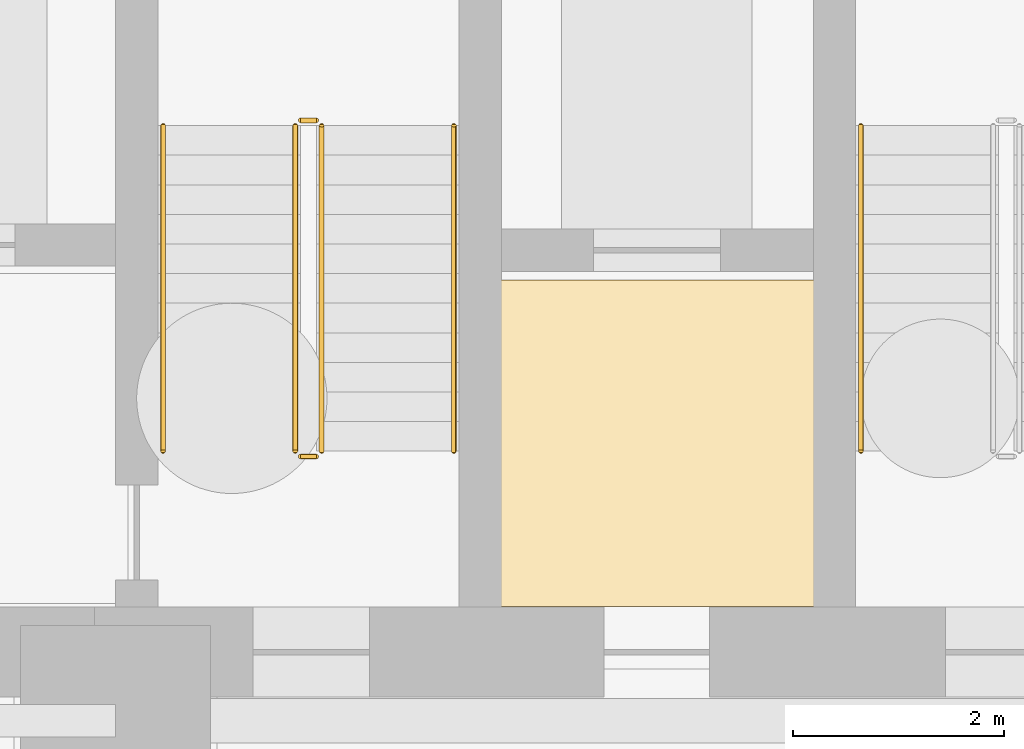
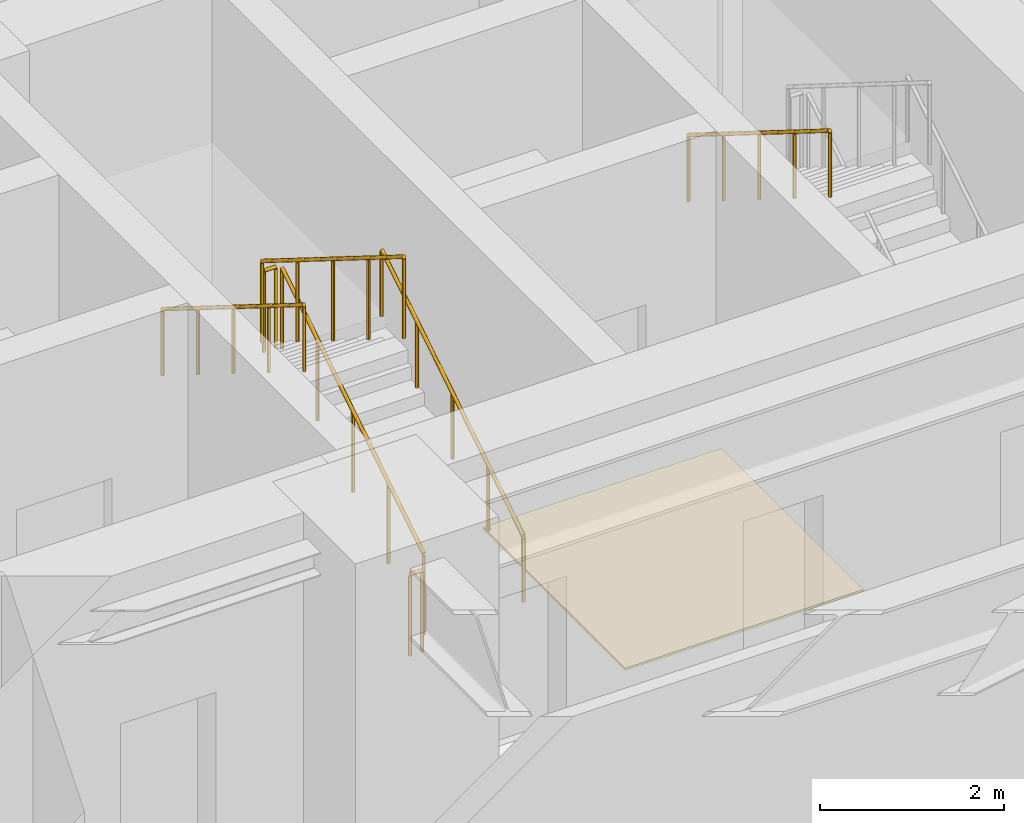
# One storey, part 9 of 12: 7 railings, 1 covering.
"""IFC4 building model written with IfcOpenShell, lengths in metres."""

from ifc_helpers import new_model, si_unit, direction, frame, origin, origin_2d, place, context, subcontext, project, spatial, polyline, circle, outline, extrude, material, layer, layer_set, type_object, element, save


model = new_model("IFC4")

# Units and contexts
model_context = context("Model", 3, precision=1e-05, world=origin(), true_north=direction((0.0, 1.0)))
body_context = subcontext(model_context, "Body", "Model", "MODEL_VIEW")
ifc_project = project(units=[si_unit("LENGTHUNIT", "METRE"), si_unit("AREAUNIT", "SQUARE_METRE"), si_unit("VOLUMEUNIT", "CUBIC_METRE"), si_unit("PLANEANGLEUNIT", "RADIAN"), si_unit("MASSUNIT", "GRAM", prefix="KILO")], contexts=[model_context])

# Site, building, storey
site_placement = place(None, origin())
site = spatial("IfcSite", under=ifc_project, at=site_placement, CompositionType="ELEMENT")
building_placement = place(site_placement, origin())
building = spatial("IfcBuilding", under=site, at=building_placement, Name="Kravanh Interchange Tower", CompositionType="ELEMENT")
storey_placement = place(building_placement, frame((0.0, 0.0, -8.39990234375)))
storey = spatial("IfcBuildingStorey", under=building, at=storey_placement, Name="B2", CompositionType="ELEMENT", Elevation=-8.39990234375)

# Covering
ifc_material_1 = material(Name="Cementitious Terrazzo Tile")
ifc_layer_1 = layer(ifc_material_1, 0.030029296875)
ifc_layer_set_1 = layer_set([ifc_layer_1], Name="Honed Terrazzo Lobby Flooring 30mm")
covering_type = type_object("IfcCoveringType", Name="Honed Terrazzo Lobby Flooring 30mm", PredefinedType="FLOORING", material=ifc_layer_set_1)
covering_placement = place(storey_placement, origin())
element("IfcCovering", 1, at=covering_placement, inside=storey, type_object=covering_type, Name="B2 Service Lift Lobby Floor Finish", PredefinedType="FLOORING", context=body_context, shape_type="SweptSolid", body=[
    extrude(outline(polyline([(59.6298828125, 41.52001953125), (62.6201171875, 41.52001953125), (62.6201171875, 38.429931640625), (59.6298828125, 38.429931640625), (59.6298828125, 41.52001953125)])), origin(), (0.0, 0.0, 1.0), 0.02978515625),
])

# Railings
ifc_material_2 = material(Name="Structural Steel S355", Category="steel")
ifc_layer_2 = layer(ifc_material_2, 0.050048828125)
ifc_layer_set_2 = layer_set([ifc_layer_2], Name="Stair Well Guardrail Structural Steel S355 1100mm")
railing_type_1 = type_object("IfcRailingType", Name="Stair Well Guardrail Structural Steel S355 1100mm", PredefinedType="GUARDRAIL", material=ifc_layer_set_2)
railing_1_placement = place(storey_placement, frame((57.949951171875, 39.89990234375, 0.1748046875)))
element("IfcRailing", 2, at=railing_1_placement, inside=storey, type_object=railing_type_1, Name="B2 ST2 stair guard 1", PredefinedType="GUARDRAIL", context=body_context, shape_type="SweptSolid", body=[
    extrude(circle(Radius=0.02392578125, at=origin_2d()), frame((0.0, 0.0, 1.076171875), z_axis=(0.0, 0.847998304005, 0.529998940003), x_axis=(-1.0, 0.0, 0.0)), (0.0, 0.0, 1.0), 3.632080078125),
    extrude(circle(Radius=0.02099609375, at=origin_2d()), origin(), (0.0, 0.0, 1.0), 1.052001953125),
    extrude(circle(Radius=0.02099609375, at=origin_2d()), frame((0.0, 0.77001953125, 0.481201171875)), (0.0, 0.0, 1.0), 1.052001953125),
    extrude(circle(Radius=0.02099609375, at=origin_2d()), frame((0.0, 1.5400390625, 0.96240234375)), (0.0, 0.0, 1.0), 1.052001953125),
    extrude(circle(Radius=0.02099609375, at=origin_2d()), frame((0.0, 2.31005859375, 1.44384765625)), (0.0, 0.0, 1.0), 1.052001953125),
    extrude(circle(Radius=0.02099609375, at=origin_2d()), frame((0.0, 3.080078125, 1.925048828125)), (0.0, 0.0, 1.0), 1.052001953125),
])
railing_2_placement = place(storey_placement, frame((57.89990234375, 43.030029296875, 2.099853515625)))
element("IfcRailing", 3, at=railing_2_placement, inside=storey, type_object=railing_type_1, Name="B2 ST2 stair guard 2", PredefinedType="GUARDRAIL", context=body_context, shape_type="SweptSolid", body=[
    extrude(circle(Radius=0.02392578125, at=origin_2d()), frame((0.0, 0.0, 1.076171875), z_axis=(-1.0, 0.0, 0.0), x_axis=(0.0, -1.0, 0.0)), (0.0, 0.0, 1.0), 0.14990234375),
    extrude(circle(Radius=0.02099609375, at=origin_2d()), origin(), (0.0, 0.0, 1.0), 1.052001953125),
    extrude(circle(Radius=0.02099609375, at=origin_2d()), frame((-0.14990234375, 0.0, 0.0)), (0.0, 0.0, 1.0), 1.052001953125),
])
railing_3_placement = place(storey_placement, frame((57.699951171875, 42.97998046875, 2.27490234375)))
element("IfcRailing", 4, at=railing_3_placement, inside=storey, type_object=railing_type_1, Name="B2 ST2 stair guard 3", PredefinedType="GUARDRAIL", context=body_context, shape_type="SweptSolid", body=[
    extrude(circle(Radius=0.02392578125, at=origin_2d()), frame((0.0, 0.0, 1.076171875), z_axis=(0.0, -0.847998304005, 0.529998940003), x_axis=(1.0, 0.0, 0.0)), (0.0, 0.0, 1.0), 3.632080078125),
    extrude(circle(Radius=0.02099609375, at=origin_2d()), origin(), (0.0, 0.0, 1.0), 1.052001953125),
    extrude(circle(Radius=0.02099609375, at=origin_2d()), frame((0.0, -0.77001953125, 0.481201171875)), (0.0, 0.0, 1.0), 1.052001953125),
    extrude(circle(Radius=0.02099609375, at=origin_2d()), frame((0.0, -1.5400390625, 0.96240234375)), (0.0, 0.0, 1.0), 1.052001953125),
    extrude(circle(Radius=0.02099609375, at=origin_2d()), frame((0.0, -2.31005859375, 1.44384765625)), (0.0, 0.0, 1.0), 1.052001953125),
    extrude(circle(Radius=0.02099609375, at=origin_2d()), frame((0.0, -3.080078125, 1.925048828125)), (0.0, 0.0, 1.0), 1.052001953125),
])
railing_4_placement = place(storey_placement, frame((57.89990234375, 39.85009765625, 0.0)))
element("IfcRailing", 5, at=railing_4_placement, inside=storey, type_object=railing_type_1, Name="B2 ST2 stair guard 4", PredefinedType="GUARDRAIL", context=body_context, shape_type="SweptSolid", body=[
    extrude(circle(Radius=0.02392578125, at=origin_2d()), frame((0.0, 0.0, 1.076171875), z_axis=(-1.0, 0.0, 0.0), x_axis=(0.0, -1.0, 0.0)), (0.0, 0.0, 1.0), 0.14990234375),
    extrude(circle(Radius=0.02099609375, at=origin_2d()), origin(), (0.0, 0.0, 1.0), 1.052001953125),
    extrude(circle(Radius=0.02099609375, at=origin_2d()), frame((-0.14990234375, 0.0, 0.0)), (0.0, 0.0, 1.0), 1.052001953125),
])
ifc_material_3 = material(Name="Stainless Steel 304", Category="steel")
ifc_layer_3 = layer(ifc_material_3, 0.044921875)
ifc_layer_set_3 = layer_set([ifc_layer_3], Name="Tubular Stair Handrail Stainless 304 900mm")
railing_type_2 = type_object("IfcRailingType", Name="Tubular Stair Handrail Stainless 304 900mm", PredefinedType="HANDRAIL", material=ifc_layer_set_3)
railing_5_placement = place(storey_placement, frame((63.050048828125, 42.97998046875, 2.27490234375)))
element("IfcRailing", 6, at=railing_5_placement, inside=storey, type_object=railing_type_2, Name="B2 ST1 stair handrail 2", PredefinedType="HANDRAIL", context=body_context, shape_type="SweptSolid", body=[
    extrude(circle(Radius=0.02392578125, at=origin_2d()), frame((0.0, 0.0, 0.8759765625), z_axis=(0.0, -0.847998304005, 0.529998940003), x_axis=(1.0, 0.0, 0.0)), (0.0, 0.0, 1.0), 3.632080078125),
    extrude(circle(Radius=0.02099609375, at=origin_2d()), origin(), (0.0, 0.0, 1.0), 0.851806640625),
    extrude(circle(Radius=0.02099609375, at=origin_2d()), frame((0.0, -0.77001953125, 0.481201171875)), (0.0, 0.0, 1.0), 0.851806640625),
    extrude(circle(Radius=0.02099609375, at=origin_2d()), frame((0.0, -1.5400390625, 0.96240234375)), (0.0, 0.0, 1.0), 0.851806640625),
    extrude(circle(Radius=0.02099609375, at=origin_2d()), frame((0.0, -2.31005859375, 1.44384765625)), (0.0, 0.0, 1.0), 0.851806640625),
    extrude(circle(Radius=0.02099609375, at=origin_2d()), frame((0.0, -3.080078125, 1.925048828125)), (0.0, 0.0, 1.0), 0.851806640625),
])
railing_6_placement = place(storey_placement, frame((59.199951171875, 39.89990234375, 0.1748046875)))
element("IfcRailing", 7, at=railing_6_placement, inside=storey, type_object=railing_type_2, Name="B2 ST2 stair handrail 1", PredefinedType="HANDRAIL", context=body_context, shape_type="SweptSolid", body=[
    extrude(circle(Radius=0.02392578125, at=origin_2d()), frame((0.0, 0.0, 0.8759765625), z_axis=(0.0, 0.847998304005, 0.529998940003), x_axis=(-1.0, 0.0, 0.0)), (0.0, 0.0, 1.0), 3.632080078125),
    extrude(circle(Radius=0.02099609375, at=origin_2d()), origin(), (0.0, 0.0, 1.0), 0.851806640625),
    extrude(circle(Radius=0.02099609375, at=origin_2d()), frame((0.0, 0.77001953125, 0.481201171875)), (0.0, 0.0, 1.0), 0.851806640625),
    extrude(circle(Radius=0.02099609375, at=origin_2d()), frame((0.0, 1.5400390625, 0.96240234375)), (0.0, 0.0, 1.0), 0.851806640625),
    extrude(circle(Radius=0.02099609375, at=origin_2d()), frame((0.0, 2.31005859375, 1.44384765625)), (0.0, 0.0, 1.0), 0.851806640625),
    extrude(circle(Radius=0.02099609375, at=origin_2d()), frame((0.0, 3.080078125, 1.925048828125)), (0.0, 0.0, 1.0), 0.851806640625),
])
railing_7_placement = place(storey_placement, frame((56.449951171875, 42.97998046875, 2.27490234375)))
element("IfcRailing", 8, at=railing_7_placement, inside=storey, type_object=railing_type_2, Name="B2 ST2 stair handrail 2", PredefinedType="HANDRAIL", context=body_context, shape_type="SweptSolid", body=[
    extrude(circle(Radius=0.02392578125, at=origin_2d()), frame((0.0, 0.0, 0.8759765625), z_axis=(0.0, -0.847998304005, 0.529998940003), x_axis=(1.0, 0.0, 0.0)), (0.0, 0.0, 1.0), 3.632080078125),
    extrude(circle(Radius=0.02099609375, at=origin_2d()), origin(), (0.0, 0.0, 1.0), 0.851806640625),
    extrude(circle(Radius=0.02099609375, at=origin_2d()), frame((0.0, -0.77001953125, 0.481201171875)), (0.0, 0.0, 1.0), 0.851806640625),
    extrude(circle(Radius=0.02099609375, at=origin_2d()), frame((0.0, -1.5400390625, 0.96240234375)), (0.0, 0.0, 1.0), 0.851806640625),
    extrude(circle(Radius=0.02099609375, at=origin_2d()), frame((0.0, -2.31005859375, 1.44384765625)), (0.0, 0.0, 1.0), 0.851806640625),
    extrude(circle(Radius=0.02099609375, at=origin_2d()), frame((0.0, -3.080078125, 1.925048828125)), (0.0, 0.0, 1.0), 0.851806640625),
])

save(model, "model.ifc")
